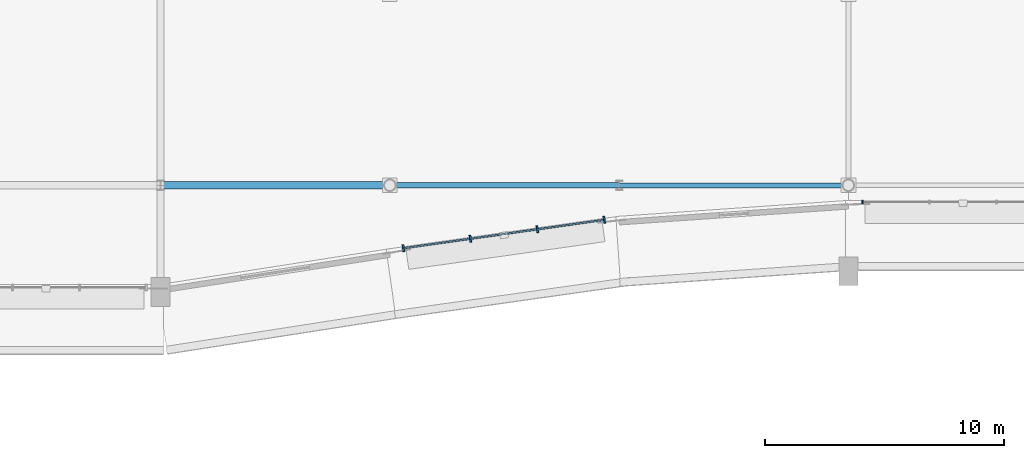
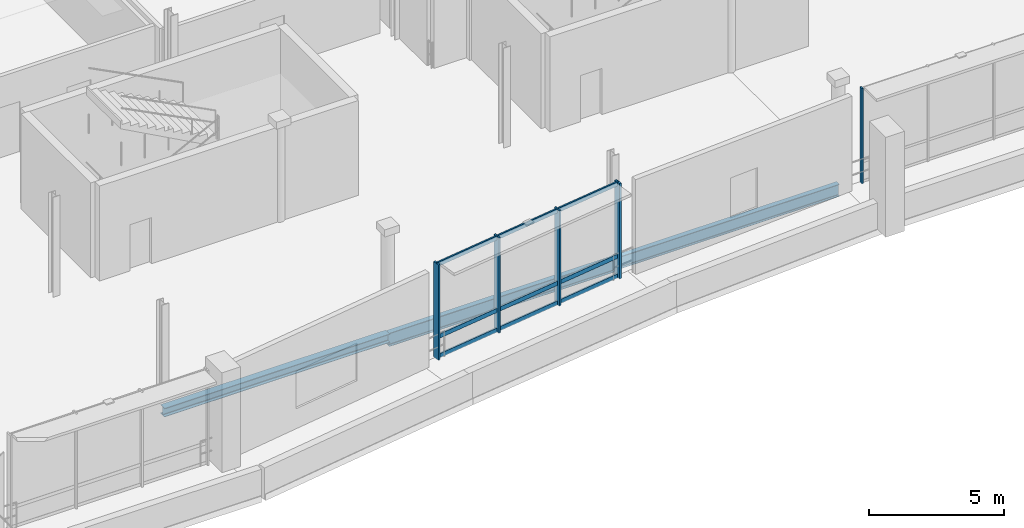
# One storey, part 13 of 59: 8 members, 3 beams, 2 elements without a shape of their own.
"""IFC4 building model written with IfcOpenShell, lengths in metres."""

from ifc_helpers import new_model, si_unit, direction, frame, origin, origin_2d, place, context, subcontext, project, spatial, rectangle, i_section, extrude, material, material_profile, profile_set, type_object, element, aggregate, save


model = new_model("IFC4")

# Units and contexts
model_context = context("Model", 3, precision=1e-05, world=origin(), true_north=direction((0.0, 1.0)))
body_context = subcontext(model_context, "Body", "Model", "MODEL_VIEW")
ifc_project = project(units=[si_unit("LENGTHUNIT", "METRE"), si_unit("AREAUNIT", "SQUARE_METRE"), si_unit("VOLUMEUNIT", "CUBIC_METRE"), si_unit("PLANEANGLEUNIT", "RADIAN"), si_unit("MASSUNIT", "GRAM", prefix="KILO")], contexts=[model_context])

# Site, building, storey
site_placement = place(None, origin())
site = spatial("IfcSite", under=ifc_project, at=site_placement, CompositionType="ELEMENT")
building_placement = place(site_placement, origin())
building = spatial("IfcBuilding", under=site, at=building_placement, Name="Danafjord Basin Convention Centre", CompositionType="ELEMENT")
storey_placement = place(building_placement, frame((0.0, 0.0, 15.89990234375)))
storey = spatial("IfcBuildingStorey", under=building, at=storey_placement, Name="L03", CompositionType="ELEMENT", Elevation=15.89990234375)

# Beams
ifc_material_1 = material(Name="Steel S355", Category="steel")
ifc_material_profile_1 = material_profile(ifc_material_1, i_section(OverallWidth=0.300048828125, OverallDepth=0.389892578125, WebThickness=0.010986328125, FlangeThickness=0.01904296875, FilletRadius=0.027099609375, at=origin_2d()), Name="HEA 400")
ifc_profile_set_1 = profile_set([ifc_material_profile_1], Name="Steel S355")
beam_type_1 = type_object("IfcBeamType", Name="BEAM-BM-HEA400", PredefinedType="BEAM", material=ifc_profile_set_1)
beam_1_placement = place(storey_placement, frame((28.800048828125, 8.0, -0.4248046875), z_axis=(1.0, 0.0, 0.0), x_axis=(0.0, 1.0, 0.0)))
element("IfcBeam", 1, at=beam_1_placement, inside=storey, type_object=beam_type_1, Name="L03 girder BM-HEA400", PredefinedType="BEAM", context=body_context, shape_type="SweptSolid", body=[
    extrude(i_section(OverallWidth=0.300048828125, OverallDepth=0.389892578125, WebThickness=0.010986328125, FlangeThickness=0.01904296875, FilletRadius=0.027099609375, at=origin_2d()), origin(), (0.0, 0.0, 1.0), 9.599853515625),
])
ifc_material_profile_2 = material_profile(ifc_material_1, i_section(OverallWidth=0.2099609375, OverallDepth=0.550048828125, WebThickness=0.010986328125, FlangeThickness=0.01708984375, FilletRadius=0.02392578125, at=origin_2d()), Name="IPE 550")
ifc_profile_set_2 = profile_set([ifc_material_profile_2], Name="Steel S355")
beam_type_2 = type_object("IfcBeamType", Name="BEAM-BM-IPE550", PredefinedType="BEAM", material=ifc_profile_set_2)
beam_2_placement = place(storey_placement, frame((48.0, 8.0, -0.5048828125), z_axis=(1.0, 0.0, 0.0), x_axis=(0.0, 1.0, 0.0)))
element("IfcBeam", 2, at=beam_2_placement, inside=storey, type_object=beam_type_2, Name="L03 girder BM-IPE550", PredefinedType="BEAM", context=body_context, shape_type="SweptSolid", body=[
    extrude(i_section(OverallWidth=0.2099609375, OverallDepth=0.550048828125, WebThickness=0.010986328125, FlangeThickness=0.01708984375, FilletRadius=0.02392578125, at=origin_2d()), origin(), (0.0, 0.0, 1.0), 9.60009765625),
])
ifc_material_profile_3 = material_profile(ifc_material_1, i_section(OverallWidth=0.219970703125, OverallDepth=0.60009765625, WebThickness=0.011962890625, FlangeThickness=0.01904296875, FilletRadius=0.02392578125, at=origin_2d()), Name="IPE 600")
ifc_profile_set_3 = profile_set([ifc_material_profile_3], Name="Steel S355")
beam_type_3 = type_object("IfcBeamType", Name="BEAM-BM-IPE600", PredefinedType="BEAM", material=ifc_profile_set_3)
beam_3_placement = place(storey_placement, frame((38.39990234375, 8.0, -0.52978515625), z_axis=(1.0, 0.0, 0.0), x_axis=(0.0, 1.0, 0.0)))
element("IfcBeam", 3, at=beam_3_placement, inside=storey, type_object=beam_type_3, Name="L03 girder BM-IPE600", PredefinedType="BEAM", context=body_context, shape_type="SweptSolid", body=[
    extrude(i_section(OverallWidth=0.219970703125, OverallDepth=0.60009765625, WebThickness=0.011962890625, FlangeThickness=0.01904296875, FilletRadius=0.02392578125, at=origin_2d()), origin(), (0.0, 0.0, 1.0), 9.60009765625),
])

# Curtain wall, member
ifc_material_2 = material(Name="Anodised aluminium and triple glazing", Category="aluminium")
curtain_wall_type = type_object("IfcCurtainWallType", Name="CW-CW-TERR", PredefinedType="NOTDEFINED", material=ifc_material_2)
curtain_wall_1_placement = place(storey_placement, origin())
curtain_wall_1 = element("IfcCurtainWall", 4, at=curtain_wall_1_placement, inside=storey, type_object=curtain_wall_type, Name="L03 CW-TERR unitised curtain wall bay 30", PredefinedType="NOTDEFINED")
ifc_material_3 = material(Name="Anodised aluminium EN AW-6060", Category="aluminium")
ifc_material_profile_4 = material_profile(ifc_material_3, rectangle(XDim=0.06005859375, YDim=0.139892578125, at=origin_2d()), Name="MULL 60x140")
ifc_profile_set_4 = profile_set([ifc_material_profile_4], Name="Anodised aluminium EN AW-6060")
member_type_1 = type_object("IfcMemberType", Name="MEM-ML-140", PredefinedType="MULLION", material=ifc_profile_set_4)
member_1_placement = place(storey_placement, frame((58.199951171875, 7.300048828125, -0.02490234375), z_axis=(0.0, 0.0, 1.0), x_axis=(1.0, 0.0, 0.0)))
member_1 = element("IfcMember", 5, at=member_1_placement, type_object=member_type_1, Name="CW-L03-030 mullion 1", PredefinedType="MULLION", context=body_context, shape_type="SweptSolid", body=[
    extrude(rectangle(XDim=0.06005859375, YDim=0.139892578125, at=origin_2d()), origin(), (0.0, 0.0, 1.0), 4.30908203125),
])
aggregate(curtain_wall_1, [member_1])

# Curtain wall, members
curtain_wall_2_placement = place(storey_placement, origin())
curtain_wall_2 = element("IfcCurtainWall", 6, at=curtain_wall_2_placement, inside=storey, type_object=curtain_wall_type, Name="L03 CW-TERR unitised curtain wall bay 29", PredefinedType="NOTDEFINED")
ifc_material_profile_5 = material_profile(ifc_material_3, rectangle(XDim=0.080078125, YDim=0.300048828125, at=origin_2d()), Name="MULL 80x300")
ifc_profile_set_5 = profile_set([ifc_material_profile_5], Name="Anodised aluminium EN AW-6060")
member_type_2 = type_object("IfcMemberType", Name="MEM-ML-300", PredefinedType="MULLION", material=ifc_profile_set_5)
member_2_placement = place(storey_placement, frame((38.9677734375, 5.36376953125, -0.02490234375), z_axis=(0.0, 0.0, 1.0), x_axis=(0.990128157327, 0.140165017276, 0.0)))
member_2 = element("IfcMember", 7, at=member_2_placement, type_object=member_type_2, Name="CW-L03-029 mullion 1", PredefinedType="MULLION", context=body_context, shape_type="SweptSolid", body=[
    extrude(rectangle(XDim=0.080078125, YDim=0.300048828125, at=origin_2d()), origin(), (0.0, 0.0, 1.0), 4.30908203125),
])
member_3_placement = place(storey_placement, frame((41.771484375, 5.760498046875, -0.02490234375), z_axis=(0.0, 0.0, 1.0), x_axis=(0.990128157327, 0.140165017276, 0.0)))
member_3 = element("IfcMember", 8, at=member_3_placement, type_object=member_type_2, Name="CW-L03-029 mullion 2", PredefinedType="MULLION", context=body_context, shape_type="SweptSolid", body=[
    extrude(rectangle(XDim=0.080078125, YDim=0.300048828125, at=origin_2d()), origin(), (0.0, 0.0, 1.0), 4.30908203125),
])
member_4_placement = place(storey_placement, frame((44.57568359375, 6.15771484375, -0.02490234375), z_axis=(0.0, 0.0, 1.0), x_axis=(0.990128157327, 0.140165017276, 0.0)))
member_4 = element("IfcMember", 9, at=member_4_placement, type_object=member_type_2, Name="CW-L03-029 mullion 3", PredefinedType="MULLION", context=body_context, shape_type="SweptSolid", body=[
    extrude(rectangle(XDim=0.080078125, YDim=0.300048828125, at=origin_2d()), origin(), (0.0, 0.0, 1.0), 4.30908203125),
])
member_5_placement = place(storey_placement, frame((47.37939453125, 6.554443359375, -0.02490234375), z_axis=(0.0, 0.0, 1.0), x_axis=(0.990128157327, 0.140165017276, 0.0)))
member_5 = element("IfcMember", 10, at=member_5_placement, type_object=member_type_2, Name="CW-L03-029 mullion 4", PredefinedType="MULLION", context=body_context, shape_type="SweptSolid", body=[
    extrude(rectangle(XDim=0.080078125, YDim=0.300048828125, at=origin_2d()), origin(), (0.0, 0.0, 1.0), 4.30908203125),
])
ifc_material_profile_6 = material_profile(ifc_material_3, rectangle(XDim=0.06494140625, YDim=0.18994140625, at=origin_2d()), Name="TRAN 65x190")
ifc_profile_set_6 = profile_set([ifc_material_profile_6], Name="Anodised aluminium EN AW-6060")
member_type_3 = type_object("IfcMemberType", Name="MEM-TR-190", PredefinedType="USERDEFINED", material=ifc_profile_set_6)
member_6_placement = place(storey_placement, frame((38.9677734375, 5.36376953125, 0.06005859375), z_axis=(0.990129730136, 0.14015390648, 0.0), x_axis=(-0.14015390648, 0.990129730136, 0.0)))
member_6 = element("IfcMember", 11, at=member_6_placement, type_object=member_type_3, Name="CW-L03-029 transom 1", ObjectType="TRANSOM", PredefinedType="USERDEFINED", context=body_context, shape_type="SweptSolid", body=[
    extrude(rectangle(XDim=0.06494140625, YDim=0.18994140625, at=origin_2d()), origin(), (0.0, 0.0, 1.0), 8.495361328125),
])
member_7_placement = place(storey_placement, frame((38.9677734375, 5.36376953125, 0.9501953125), z_axis=(0.990129730136, 0.14015390648, 0.0), x_axis=(-0.14015390648, 0.990129730136, 0.0)))
member_7 = element("IfcMember", 12, at=member_7_placement, type_object=member_type_3, Name="CW-L03-029 transom 2", ObjectType="TRANSOM", PredefinedType="USERDEFINED", context=body_context, shape_type="SweptSolid", body=[
    extrude(rectangle(XDim=0.06494140625, YDim=0.18994140625, at=origin_2d()), origin(), (0.0, 0.0, 1.0), 8.495361328125),
])
member_8_placement = place(storey_placement, frame((38.9677734375, 5.36376953125, 4.214111328125), z_axis=(0.990129730136, 0.14015390648, 0.0), x_axis=(-0.14015390648, 0.990129730136, 0.0)))
member_8 = element("IfcMember", 13, at=member_8_placement, type_object=member_type_3, Name="CW-L03-029 transom 3", ObjectType="TRANSOM", PredefinedType="USERDEFINED", context=body_context, shape_type="SweptSolid", body=[
    extrude(rectangle(XDim=0.06494140625, YDim=0.18994140625, at=origin_2d()), origin(), (0.0, 0.0, 1.0), 8.495361328125),
])
aggregate(curtain_wall_2, [member_2, member_3, member_4, member_5, member_6, member_7, member_8])

save(model, "model.ifc")
